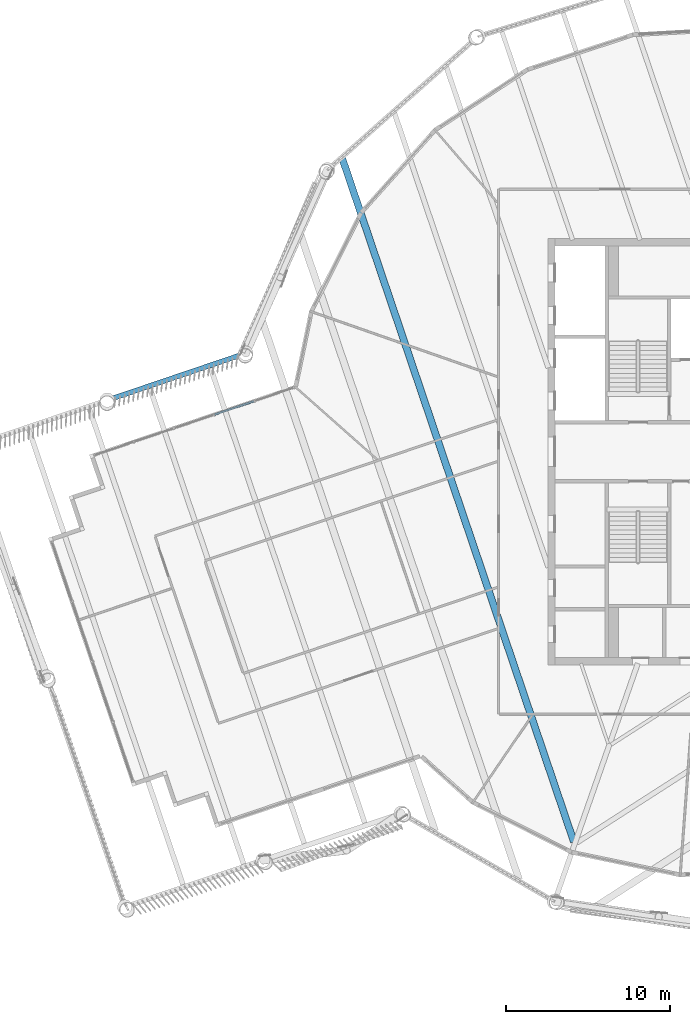
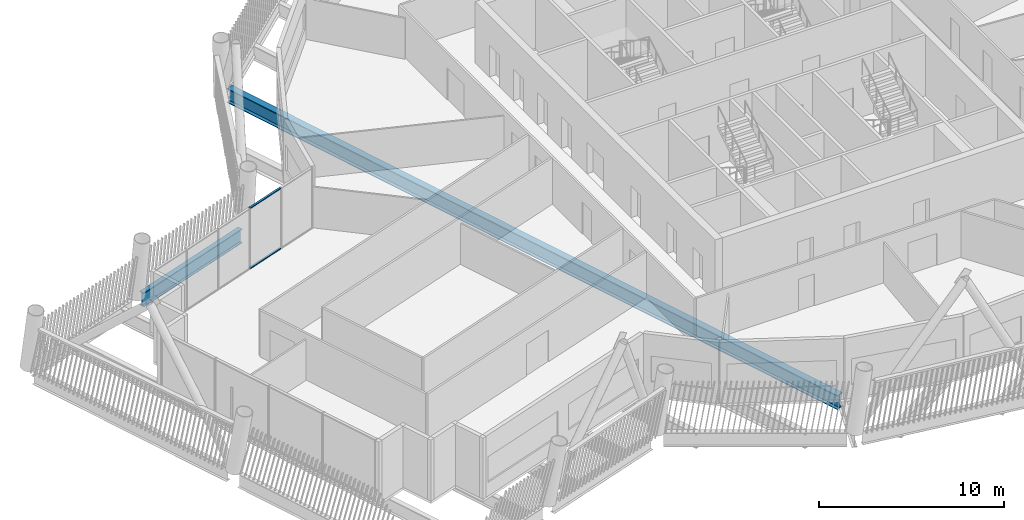
# One storey, part 12 of 35: 2 beams, 2 members, 1 element without a shape of its own.
"""IFC4 building model written with IfcOpenShell, lengths in metres."""

from ifc_helpers import new_model, si_unit, direction, frame, origin, origin_2d, place, context, subcontext, project, spatial, hollow_rectangle, i_section, extrude, material, layer, layer_set, material_profile, profile_set, type_object, element, aggregate, save


model = new_model("IFC4")

# Units and contexts
model_context = context("Model", 3, precision=1e-05, world=origin(), true_north=direction((0.0, 1.0)))
body_context = subcontext(model_context, "Body", "Model", "MODEL_VIEW")
ifc_project = project(units=[si_unit("LENGTHUNIT", "METRE"), si_unit("AREAUNIT", "SQUARE_METRE"), si_unit("VOLUMEUNIT", "CUBIC_METRE"), si_unit("PLANEANGLEUNIT", "RADIAN"), si_unit("MASSUNIT", "GRAM", prefix="KILO")], contexts=[model_context])

# Site, building, storey
site_placement = place(None, origin())
site = spatial("IfcSite", under=ifc_project, at=site_placement, CompositionType="ELEMENT")
building_placement = place(site_placement, origin())
building = spatial("IfcBuilding", under=site, at=building_placement, Name="Tarsis Ring Headquarters", CompositionType="ELEMENT")
storey_placement = place(building_placement, frame((0.0, 0.0, 360.800048828125)))
storey = spatial("IfcBuildingStorey", under=building, at=storey_placement, Name="L85", CompositionType="ELEMENT", Elevation=360.800048828125)

# Curtain wall, members
ifc_material_1 = material(Name="Aluminium curtain wall", Category="aluminium")
ifc_layer = layer(ifc_material_1, 0.14990234375)
ifc_layer_set = layer_set([ifc_layer], Name="Curtain wall tower unit")
curtain_wall_type = type_object("IfcCurtainWallType", Name="Curtain wall tower unit", PredefinedType="NOTDEFINED", material=ifc_layer_set)
curtain_wall_placement = place(storey_placement, origin())
curtain_wall = element("IfcCurtainWall", 1, at=curtain_wall_placement, inside=storey, type_object=curtain_wall_type, Name="Curtain wall L85-31", PredefinedType="NOTDEFINED")
ifc_material_2 = material(Name="Aluminium transom", Category="aluminium")
ifc_material_profile_1 = material_profile(ifc_material_2, hollow_rectangle(XDim=0.1298828125, YDim=0.06005859375, WallThickness=0.0048828125, at=origin_2d()), Name="RHS 130x60x5")
ifc_profile_set_1 = profile_set([ifc_material_profile_1], Name="Aluminium transom")
member_type = type_object("IfcMemberType", Name="Curtain wall transom tower unit RHS 130x60x5", PredefinedType="USERDEFINED", material=ifc_profile_set_1)
member_1_placement = place(storey_placement, frame((-27.92333984375, 3.075927734375, 0.030029296875), z_axis=(-0.947102315171, -0.320931775612, 0.0), x_axis=(0.320931775612, -0.947102315171, 0.0)))
member_1 = element("IfcMember", 2, at=member_1_placement, type_object=member_type, Name="CW-T transom 2.1", ObjectType="TRANSOM", PredefinedType="USERDEFINED", context=body_context, shape_type="SweptSolid", body=[
    extrude(hollow_rectangle(XDim=0.1298828125, YDim=0.06005859375, WallThickness=0.0048828125, at=origin_2d()), origin(), (0.0, 0.0, 1.0), 2.520263671875),
])
member_2_placement = place(storey_placement, frame((-27.92333984375, 3.075927734375, 4.010009765625), z_axis=(-0.947102315171, -0.320931775612, 0.0), x_axis=(0.320931775612, -0.947102315171, 0.0)))
member_2 = element("IfcMember", 3, at=member_2_placement, type_object=member_type, Name="CW-T transom 2.2", ObjectType="TRANSOM", PredefinedType="USERDEFINED", context=body_context, shape_type="SweptSolid", body=[
    extrude(hollow_rectangle(XDim=0.1298828125, YDim=0.06005859375, WallThickness=0.0048828125, at=origin_2d()), origin(), (0.0, 0.0, 1.0), 2.520263671875),
])
aggregate(curtain_wall, [member_1, member_2])

# Beams
ifc_material_3 = material(Name="Structural steel S355", Category="steel")
ifc_material_profile_2 = material_profile(ifc_material_3, i_section(OverallWidth=0.42431640625, OverallDepth=0.947509765625, WebThickness=0.02392578125, FlangeThickness=0.042724609375, at=origin_2d()), Name="W36x302")
ifc_profile_set_2 = profile_set([ifc_material_profile_2], Name="Structural steel S355")
beam_type_1 = type_object("IfcBeamType", Name="FB Floor beam W36x302", PredefinedType="JOIST", material=ifc_profile_set_2)
beam_1_placement = place(storey_placement, frame((-22.533203125, 17.888427734375, -0.6337890625), z_axis=(0.320944107645, -0.947098136292, 0.0), x_axis=(0.947098136292, 0.320944107645, 0.0)))
element("IfcBeam", 4, at=beam_1_placement, inside=storey, type_object=beam_type_1, Name="Floor beam FB12", PredefinedType="JOIST", context=body_context, shape_type="SweptSolid", body=[
    extrude(i_section(OverallWidth=0.42431640625, OverallDepth=0.947509765625, WebThickness=0.02392578125, FlangeThickness=0.042724609375, at=origin_2d()), origin(), (0.0, 0.0, 1.0), 43.989501953125),
])
ifc_material_profile_3 = material_profile(ifc_material_3, i_section(OverallWidth=0.3046875, OverallDepth=0.91943359375, WebThickness=0.017333984375, FlangeThickness=0.02783203125, at=origin_2d()), Name="W36x170")
ifc_profile_set_3 = profile_set([ifc_material_profile_3], Name="Structural steel S355")
beam_type_2 = type_object("IfcBeamType", Name="XG Ring girder W36x170", PredefinedType="BEAM", material=ifc_profile_set_3)
beam_2_placement = place(storey_placement, frame((-28.81298828125, 5.86279296875, -0.459716796875), z_axis=(-0.94709717534, -0.320946943376, 0.0), x_axis=(0.320946943376, -0.94709717534, 0.0)))
element("IfcBeam", 5, at=beam_2_placement, inside=storey, type_object=beam_type_2, Name="Ring girder XG4", PredefinedType="BEAM", context=body_context, shape_type="SweptSolid", body=[
    extrude(i_section(OverallWidth=0.3046875, OverallDepth=0.91943359375, WebThickness=0.017333984375, FlangeThickness=0.02783203125, at=origin_2d()), origin(), (0.0, 0.0, 1.0), 8.079345703125),
])

save(model, "model.ifc")
